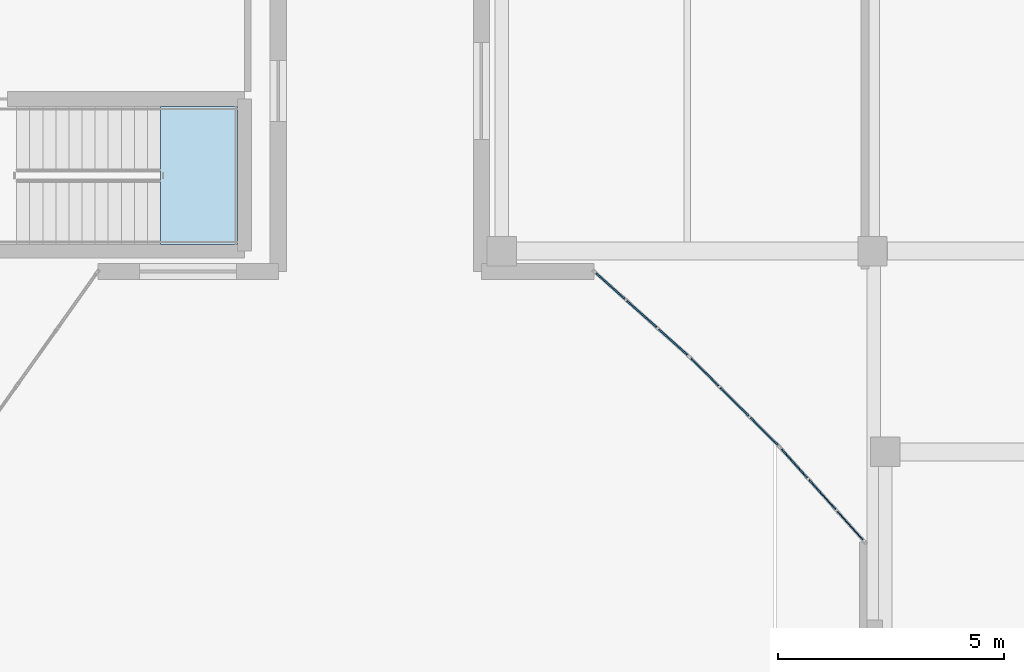
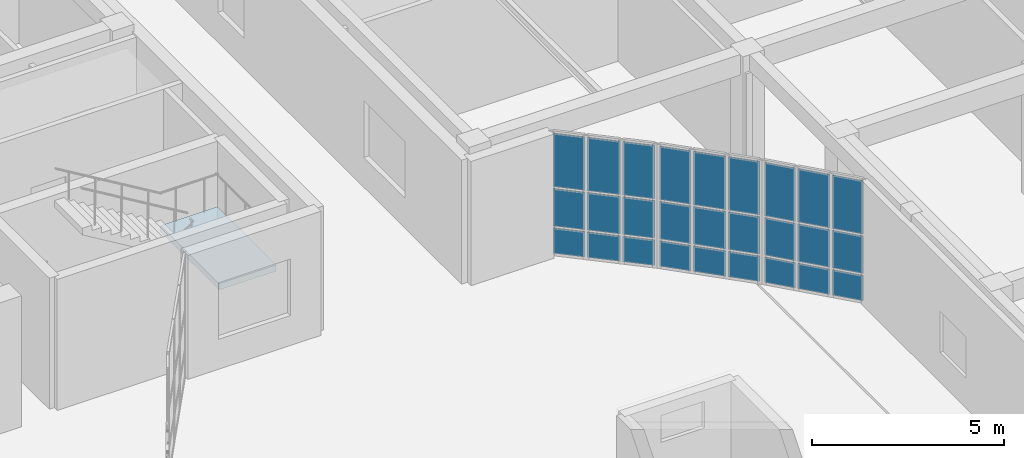
# One storey, part 63 of 114: 27 plates, 1 slab, 4 elements without a shape of their own.
"""IFC4 building model written with IfcOpenShell, lengths in metres."""

from ifc_helpers import new_model, si_unit, direction, frame, origin, origin_2d, place, context, subcontext, project, spatial, polyline, rectangle, outline, extrude, material, layer, layer_set, type_object, element, aggregate, save


model = new_model("IFC4")

# Units and contexts
model_context = context("Model", 3, precision=1e-05, world=origin(), true_north=direction((0.0, 1.0)))
body_context = subcontext(model_context, "Body", "Model", "MODEL_VIEW")
ifc_project = project(units=[si_unit("LENGTHUNIT", "METRE"), si_unit("AREAUNIT", "SQUARE_METRE"), si_unit("VOLUMEUNIT", "CUBIC_METRE"), si_unit("PLANEANGLEUNIT", "RADIAN"), si_unit("MASSUNIT", "GRAM", prefix="KILO")], contexts=[model_context])

# Site, building, storey
site_placement = place(None, origin())
site = spatial("IfcSite", under=ifc_project, at=site_placement, CompositionType="ELEMENT")
building_placement = place(site_placement, origin())
building = spatial("IfcBuilding", under=site, at=building_placement, Name="Keldmere Railside Commons", CompositionType="ELEMENT")
storey_placement = place(building_placement, origin())
storey = spatial("IfcBuildingStorey", under=building, at=storey_placement, Name="L00", CompositionType="ELEMENT", Elevation=0.0)

# Curtain wall, plates
ifc_material_1 = material(Name="Thermally Broken Aluminium", Category="aluminium")
ifc_layer_1 = layer(ifc_material_1, 0.159912109375, Name="Residential Ground Entrance Lobby CW 4000x3600")
ifc_layer_set_1 = layer_set([ifc_layer_1], Name="Thermally Broken Aluminium")
curtain_wall_type_1 = type_object("IfcCurtainWallType", Name="Residential Ground Entrance Lobby CW 4000x3600", PredefinedType="NOTDEFINED", material=ifc_layer_set_1)
curtain_wall_1_placement = place(storey_placement, origin())
curtain_wall_1 = element("IfcCurtainWall", 1, at=curtain_wall_1_placement, inside=storey, type_object=curtain_wall_type_1, Name="CW-10 CW-L00-028", PredefinedType="NOTDEFINED")
ifc_material_2 = material(Name="Low-E Insulated Double Glazing", Category="glass")
ifc_layer_2 = layer(ifc_material_2, 0.033935546875, Name="Acoustic Laminated Vision Panel 34")
ifc_layer_set_2 = layer_set([ifc_layer_2], Name="Low-E Insulated Double Glazing")
plate_type_1 = type_object("IfcPlateType", Name="Acoustic Laminated Vision Panel 34", PredefinedType="CURTAIN_PANEL", material=ifc_layer_set_2)
plate_1_placement = place(storey_placement, frame((43.74462890625, 98.435791015625, 0.06494140625), z_axis=(0.0, 0.0, 1.0), x_axis=(-0.744557333277, 0.667558519879, 0.0)))
plate_1 = element("IfcPlate", 2, at=plate_1_placement, type_object=plate_type_1, Name="CW-10 panel 1.1", PredefinedType="CURTAIN_PANEL", context=body_context, shape_type="SweptSolid", body=[
    extrude(rectangle(XDim=0.84619140625, YDim=0.033935546875, at=origin_2d()), origin(), (0.0, 0.0, 1.0), 0.802490234375),
])
plate_2_placement = place(storey_placement, frame((43.74462890625, 98.435791015625, 0.932373046875), z_axis=(0.0, 0.0, 1.0), x_axis=(-0.744557333277, 0.667558519879, 0.0)))
plate_2 = element("IfcPlate", 3, at=plate_2_placement, type_object=plate_type_1, Name="CW-10 panel 1.2", PredefinedType="CURTAIN_PANEL", context=body_context, shape_type="SweptSolid", body=[
    extrude(rectangle(XDim=0.84619140625, YDim=0.033935546875, at=origin_2d()), origin(), (0.0, 0.0, 1.0), 1.18505859375),
])
plate_3_placement = place(storey_placement, frame((43.74462890625, 98.435791015625, 2.1826171875), z_axis=(0.0, 0.0, 1.0), x_axis=(-0.744557333277, 0.667558519879, 0.0)))
plate_3 = element("IfcPlate", 4, at=plate_3_placement, type_object=plate_type_1, Name="CW-10 panel 1.3", PredefinedType="CURTAIN_PANEL", context=body_context, shape_type="SweptSolid", body=[
    extrude(rectangle(XDim=0.84619140625, YDim=0.033935546875, at=origin_2d()), origin(), (0.0, 0.0, 1.0), 1.6923828125),
])
plate_4_placement = place(storey_placement, frame((43.053955078125, 99.054931640625, 0.06494140625), z_axis=(0.0, 0.0, 1.0), x_axis=(-0.744557333277, 0.667558519879, 0.0)))
plate_4 = element("IfcPlate", 5, at=plate_4_placement, type_object=plate_type_1, Name="CW-10 panel 2.1", PredefinedType="CURTAIN_PANEL", context=body_context, shape_type="SweptSolid", body=[
    extrude(rectangle(XDim=0.878662109375, YDim=0.033935546875, at=origin_2d()), origin(), (0.0, 0.0, 1.0), 0.802490234375),
])
plate_5_placement = place(storey_placement, frame((43.053955078125, 99.054931640625, 0.932373046875), z_axis=(0.0, 0.0, 1.0), x_axis=(-0.744557333277, 0.667558519879, 0.0)))
plate_5 = element("IfcPlate", 6, at=plate_5_placement, type_object=plate_type_1, Name="CW-10 panel 2.2", PredefinedType="CURTAIN_PANEL", context=body_context, shape_type="SweptSolid", body=[
    extrude(rectangle(XDim=0.878662109375, YDim=0.033935546875, at=origin_2d()), origin(), (0.0, 0.0, 1.0), 1.18505859375),
])
plate_6_placement = place(storey_placement, frame((43.053955078125, 99.054931640625, 2.1826171875), z_axis=(0.0, 0.0, 1.0), x_axis=(-0.744557333277, 0.667558519879, 0.0)))
plate_6 = element("IfcPlate", 7, at=plate_6_placement, type_object=plate_type_1, Name="CW-10 panel 2.3", PredefinedType="CURTAIN_PANEL", context=body_context, shape_type="SweptSolid", body=[
    extrude(rectangle(XDim=0.878662109375, YDim=0.033935546875, at=origin_2d()), origin(), (0.0, 0.0, 1.0), 1.6923828125),
])
plate_7_placement = place(storey_placement, frame((42.363525390625, 99.674072265625, 0.06494140625), z_axis=(0.0, 0.0, 1.0), x_axis=(-0.744557333277, 0.667558519879, 0.0)))
plate_7 = element("IfcPlate", 8, at=plate_7_placement, type_object=plate_type_1, Name="CW-10 panel 3.1", PredefinedType="CURTAIN_PANEL", context=body_context, shape_type="SweptSolid", body=[
    extrude(rectangle(XDim=0.84619140625, YDim=0.033935546875, at=origin_2d()), origin(), (0.0, 0.0, 1.0), 0.802490234375),
])
plate_8_placement = place(storey_placement, frame((42.363525390625, 99.674072265625, 0.932373046875), z_axis=(0.0, 0.0, 1.0), x_axis=(-0.744557333277, 0.667558519879, 0.0)))
plate_8 = element("IfcPlate", 9, at=plate_8_placement, type_object=plate_type_1, Name="CW-10 panel 3.2", PredefinedType="CURTAIN_PANEL", context=body_context, shape_type="SweptSolid", body=[
    extrude(rectangle(XDim=0.84619140625, YDim=0.033935546875, at=origin_2d()), origin(), (0.0, 0.0, 1.0), 1.18505859375),
])
plate_9_placement = place(storey_placement, frame((42.363525390625, 99.674072265625, 2.1826171875), z_axis=(0.0, 0.0, 1.0), x_axis=(-0.744557333277, 0.667558519879, 0.0)))
plate_9 = element("IfcPlate", 10, at=plate_9_placement, type_object=plate_type_1, Name="CW-10 panel 3.3", PredefinedType="CURTAIN_PANEL", context=body_context, shape_type="SweptSolid", body=[
    extrude(rectangle(XDim=0.84619140625, YDim=0.033935546875, at=origin_2d()), origin(), (0.0, 0.0, 1.0), 1.6923828125),
])
aggregate(curtain_wall_1, [plate_1, plate_2, plate_3, plate_4, plate_5, plate_6, plate_7, plate_8, plate_9])

ifc_layer_3 = layer(ifc_material_1, 0.159912109375, Name="Residential Lounge Frontage CW 4600x3600")
ifc_layer_set_3 = layer_set([ifc_layer_3], Name="Thermally Broken Aluminium")
curtain_wall_type_2 = type_object("IfcCurtainWallType", Name="Residential Lounge Frontage CW 4600x3600", PredefinedType="NOTDEFINED", material=ifc_layer_set_3)
curtain_wall_2_placement = place(storey_placement, origin())
curtain_wall_2 = element("IfcCurtainWall", 11, at=curtain_wall_2_placement, inside=storey, type_object=curtain_wall_type_2, Name="CW-11 CW-L00-029", PredefinedType="NOTDEFINED")
ifc_layer_4 = layer(ifc_material_2, 0.031982421875, Name="Clerestory Solar-Control Vision Panel 32")
ifc_layer_set_4 = layer_set([ifc_layer_4], Name="Low-E Insulated Double Glazing")
plate_type_2 = type_object("IfcPlateType", Name="Clerestory Solar-Control Vision Panel 32", PredefinedType="CURTAIN_PANEL", material=ifc_layer_set_4)
plate_10_placement = place(storey_placement, frame((45.764892578125, 96.453125, 0.06494140625), z_axis=(0.0, 0.0, 1.0), x_axis=(-0.707106781187, 0.707106781187, 0.0)))
plate_10 = element("IfcPlate", 12, at=plate_10_placement, type_object=plate_type_2, Name="CW-11 panel 1.1", PredefinedType="CURTAIN_PANEL", context=body_context, shape_type="SweptSolid", body=[
    extrude(rectangle(XDim=0.84619140625, YDim=0.031982421875, at=origin_2d()), origin(), (0.0, 0.0, 1.0), 0.802490234375),
])
plate_11_placement = place(storey_placement, frame((45.764892578125, 96.453125, 0.932373046875), z_axis=(0.0, 0.0, 1.0), x_axis=(-0.707106781187, 0.707106781187, 0.0)))
plate_11 = element("IfcPlate", 13, at=plate_11_placement, type_object=plate_type_2, Name="CW-11 panel 1.2", PredefinedType="CURTAIN_PANEL", context=body_context, shape_type="SweptSolid", body=[
    extrude(rectangle(XDim=0.84619140625, YDim=0.031982421875, at=origin_2d()), origin(), (0.0, 0.0, 1.0), 1.18505859375),
])
plate_12_placement = place(storey_placement, frame((45.764892578125, 96.453125, 2.1826171875), z_axis=(0.0, 0.0, 1.0), x_axis=(-0.707106781187, 0.707106781187, 0.0)))
plate_12 = element("IfcPlate", 14, at=plate_12_placement, type_object=plate_type_2, Name="CW-11 panel 1.3", PredefinedType="CURTAIN_PANEL", context=body_context, shape_type="SweptSolid", body=[
    extrude(rectangle(XDim=0.84619140625, YDim=0.031982421875, at=origin_2d()), origin(), (0.0, 0.0, 1.0), 1.6923828125),
])
plate_13_placement = place(storey_placement, frame((45.10888671875, 97.10888671875, 0.06494140625), z_axis=(0.0, 0.0, 1.0), x_axis=(-0.707106781187, 0.707106781187, 0.0)))
plate_13 = element("IfcPlate", 15, at=plate_13_placement, type_object=plate_type_2, Name="CW-11 panel 2.1", PredefinedType="CURTAIN_PANEL", context=body_context, shape_type="SweptSolid", body=[
    extrude(rectangle(XDim=0.878662109375, YDim=0.031982421875, at=origin_2d()), origin(), (0.0, 0.0, 1.0), 0.802490234375),
])
plate_14_placement = place(storey_placement, frame((45.10888671875, 97.10888671875, 0.932373046875), z_axis=(0.0, 0.0, 1.0), x_axis=(-0.707106781187, 0.707106781187, 0.0)))
plate_14 = element("IfcPlate", 16, at=plate_14_placement, type_object=plate_type_2, Name="CW-11 panel 2.2", PredefinedType="CURTAIN_PANEL", context=body_context, shape_type="SweptSolid", body=[
    extrude(rectangle(XDim=0.878662109375, YDim=0.031982421875, at=origin_2d()), origin(), (0.0, 0.0, 1.0), 1.18505859375),
])
plate_15_placement = place(storey_placement, frame((45.10888671875, 97.10888671875, 2.1826171875), z_axis=(0.0, 0.0, 1.0), x_axis=(-0.707106781187, 0.707106781187, 0.0)))
plate_15 = element("IfcPlate", 17, at=plate_15_placement, type_object=plate_type_2, Name="CW-11 panel 2.3", PredefinedType="CURTAIN_PANEL", context=body_context, shape_type="SweptSolid", body=[
    extrude(rectangle(XDim=0.878662109375, YDim=0.031982421875, at=origin_2d()), origin(), (0.0, 0.0, 1.0), 1.6923828125),
])
plate_16_placement = place(storey_placement, frame((44.453125, 97.764892578125, 0.06494140625), z_axis=(0.0, 0.0, 1.0), x_axis=(-0.707106781187, 0.707106781187, 0.0)))
plate_16 = element("IfcPlate", 18, at=plate_16_placement, type_object=plate_type_2, Name="CW-11 panel 3.1", PredefinedType="CURTAIN_PANEL", context=body_context, shape_type="SweptSolid", body=[
    extrude(rectangle(XDim=0.84619140625, YDim=0.031982421875, at=origin_2d()), origin(), (0.0, 0.0, 1.0), 0.802490234375),
])
plate_17_placement = place(storey_placement, frame((44.453125, 97.764892578125, 0.932373046875), z_axis=(0.0, 0.0, 1.0), x_axis=(-0.707106781187, 0.707106781187, 0.0)))
plate_17 = element("IfcPlate", 19, at=plate_17_placement, type_object=plate_type_2, Name="CW-11 panel 3.2", PredefinedType="CURTAIN_PANEL", context=body_context, shape_type="SweptSolid", body=[
    extrude(rectangle(XDim=0.84619140625, YDim=0.031982421875, at=origin_2d()), origin(), (0.0, 0.0, 1.0), 1.18505859375),
])
plate_18_placement = place(storey_placement, frame((44.453125, 97.764892578125, 2.1826171875), z_axis=(0.0, 0.0, 1.0), x_axis=(-0.707106781187, 0.707106781187, 0.0)))
plate_18 = element("IfcPlate", 20, at=plate_18_placement, type_object=plate_type_2, Name="CW-11 panel 3.3", PredefinedType="CURTAIN_PANEL", context=body_context, shape_type="SweptSolid", body=[
    extrude(rectangle(XDim=0.84619140625, YDim=0.031982421875, at=origin_2d()), origin(), (0.0, 0.0, 1.0), 1.6923828125),
])
aggregate(curtain_wall_2, [plate_10, plate_11, plate_12, plate_13, plate_14, plate_15, plate_16, plate_17, plate_18])

# Stair, slab
ifc_material_3 = material(Name="Concrete H-30 (C30/37)", Category="concrete")
stair_type = type_object("IfcStairType", Name="Ground Podium Dogleg Stair 1450", PredefinedType="HALF_TURN_STAIR", material=ifc_material_3)
stair_placement = place(storey_placement, origin())
stair = element("IfcStair", 21, at=stair_placement, inside=storey, type_object=stair_type, Name="L00 Block D Secondary Escape Stair 2", PredefinedType="HALF_TURN_STAIR")
ifc_layer_5 = layer(ifc_material_3, 0.199951171875, Name="Enclosed Stair Landing Slab 200")
ifc_layer_set_5 = layer_set([ifc_layer_5], Name="Concrete H-30 (C30/37)")
slab_type = type_object("IfcSlabType", Name="Enclosed Stair Landing Slab 200", PredefinedType="LANDING", material=ifc_layer_set_5)
slab_placement = place(storey_placement, frame((0.0, 0.0, 1.8798828125)))
slab = element("IfcSlab", 22, at=slab_placement, type_object=slab_type, Name="ST-D2 landing 1", PredefinedType="LANDING", context=body_context, shape_type="SweptSolid", body=[
    extrude(outline(polyline([(32.389892578125, 100.60009765625), (34.10009765625, 100.60009765625), (34.10009765625, 103.64990234375), (32.389892578125, 103.64990234375), (32.389892578125, 100.60009765625)])), origin(), (0.0, 0.0, 1.0), 0.2001953125),
])
aggregate(stair, [slab])

# Curtain wall, plates
curtain_wall_3_placement = place(storey_placement, origin())
curtain_wall_3 = element("IfcCurtainWall", 23, at=curtain_wall_3_placement, inside=storey, type_object=curtain_wall_type_1, Name="CW-10 CW-L00-030", PredefinedType="NOTDEFINED")
ifc_layer_6 = layer(ifc_material_2, 0.028076171875, Name="Low-E Vision Glazing Panel 28")
ifc_layer_set_6 = layer_set([ifc_layer_6], Name="Low-E Insulated Double Glazing")
plate_type_3 = type_object("IfcPlateType", Name="Low-E Vision Glazing Panel 28", PredefinedType="CURTAIN_PANEL", material=ifc_layer_set_6)
plate_19_placement = place(storey_placement, frame((47.674072265625, 94.363525390625, 0.06494140625), z_axis=(0.0, 0.0, 1.0), x_axis=(-0.667558519879, 0.744557333277, 0.0)))
plate_19 = element("IfcPlate", 24, at=plate_19_placement, type_object=plate_type_3, Name="CW-10 panel 1.1", PredefinedType="CURTAIN_PANEL", context=body_context, shape_type="SweptSolid", body=[
    extrude(rectangle(XDim=0.84619140625, YDim=0.028076171875, at=origin_2d()), origin(), (0.0, 0.0, 1.0), 0.802490234375),
])
plate_20_placement = place(storey_placement, frame((47.674072265625, 94.363525390625, 0.932373046875), z_axis=(0.0, 0.0, 1.0), x_axis=(-0.667558519879, 0.744557333277, 0.0)))
plate_20 = element("IfcPlate", 25, at=plate_20_placement, type_object=plate_type_3, Name="CW-10 panel 1.2", PredefinedType="CURTAIN_PANEL", context=body_context, shape_type="SweptSolid", body=[
    extrude(rectangle(XDim=0.84619140625, YDim=0.028076171875, at=origin_2d()), origin(), (0.0, 0.0, 1.0), 1.18505859375),
])
plate_21_placement = place(storey_placement, frame((47.674072265625, 94.363525390625, 2.1826171875), z_axis=(0.0, 0.0, 1.0), x_axis=(-0.667558519879, 0.744557333277, 0.0)))
plate_21 = element("IfcPlate", 26, at=plate_21_placement, type_object=plate_type_3, Name="CW-10 panel 1.3", PredefinedType="CURTAIN_PANEL", context=body_context, shape_type="SweptSolid", body=[
    extrude(rectangle(XDim=0.84619140625, YDim=0.028076171875, at=origin_2d()), origin(), (0.0, 0.0, 1.0), 1.6923828125),
])
plate_22_placement = place(storey_placement, frame((47.054931640625, 95.053955078125, 0.06494140625), z_axis=(0.0, 0.0, 1.0), x_axis=(-0.667558519879, 0.744557333277, 0.0)))
plate_22 = element("IfcPlate", 27, at=plate_22_placement, type_object=plate_type_3, Name="CW-10 panel 2.1", PredefinedType="CURTAIN_PANEL", context=body_context, shape_type="SweptSolid", body=[
    extrude(rectangle(XDim=0.878662109375, YDim=0.028076171875, at=origin_2d()), origin(), (0.0, 0.0, 1.0), 0.802490234375),
])
plate_23_placement = place(storey_placement, frame((47.054931640625, 95.053955078125, 0.932373046875), z_axis=(0.0, 0.0, 1.0), x_axis=(-0.667558519879, 0.744557333277, 0.0)))
plate_23 = element("IfcPlate", 28, at=plate_23_placement, type_object=plate_type_3, Name="CW-10 panel 2.2", PredefinedType="CURTAIN_PANEL", context=body_context, shape_type="SweptSolid", body=[
    extrude(rectangle(XDim=0.878662109375, YDim=0.028076171875, at=origin_2d()), origin(), (0.0, 0.0, 1.0), 1.18505859375),
])
plate_24_placement = place(storey_placement, frame((47.054931640625, 95.053955078125, 2.1826171875), z_axis=(0.0, 0.0, 1.0), x_axis=(-0.667558519879, 0.744557333277, 0.0)))
plate_24 = element("IfcPlate", 29, at=plate_24_placement, type_object=plate_type_3, Name="CW-10 panel 2.3", PredefinedType="CURTAIN_PANEL", context=body_context, shape_type="SweptSolid", body=[
    extrude(rectangle(XDim=0.878662109375, YDim=0.028076171875, at=origin_2d()), origin(), (0.0, 0.0, 1.0), 1.6923828125),
])
plate_25_placement = place(storey_placement, frame((46.435791015625, 95.74462890625, 0.06494140625), z_axis=(0.0, 0.0, 1.0), x_axis=(-0.667558519879, 0.744557333277, 0.0)))
plate_25 = element("IfcPlate", 30, at=plate_25_placement, type_object=plate_type_3, Name="CW-10 panel 3.1", PredefinedType="CURTAIN_PANEL", context=body_context, shape_type="SweptSolid", body=[
    extrude(rectangle(XDim=0.84619140625, YDim=0.028076171875, at=origin_2d()), origin(), (0.0, 0.0, 1.0), 0.802490234375),
])
plate_26_placement = place(storey_placement, frame((46.435791015625, 95.74462890625, 0.932373046875), z_axis=(0.0, 0.0, 1.0), x_axis=(-0.667558519879, 0.744557333277, 0.0)))
plate_26 = element("IfcPlate", 31, at=plate_26_placement, type_object=plate_type_3, Name="CW-10 panel 3.2", PredefinedType="CURTAIN_PANEL", context=body_context, shape_type="SweptSolid", body=[
    extrude(rectangle(XDim=0.84619140625, YDim=0.028076171875, at=origin_2d()), origin(), (0.0, 0.0, 1.0), 1.18505859375),
])
plate_27_placement = place(storey_placement, frame((46.435791015625, 95.74462890625, 2.1826171875), z_axis=(0.0, 0.0, 1.0), x_axis=(-0.667558519879, 0.744557333277, 0.0)))
plate_27 = element("IfcPlate", 32, at=plate_27_placement, type_object=plate_type_3, Name="CW-10 panel 3.3", PredefinedType="CURTAIN_PANEL", context=body_context, shape_type="SweptSolid", body=[
    extrude(rectangle(XDim=0.84619140625, YDim=0.028076171875, at=origin_2d()), origin(), (0.0, 0.0, 1.0), 1.6923828125),
])
aggregate(curtain_wall_3, [plate_19, plate_20, plate_21, plate_22, plate_23, plate_24, plate_25, plate_26, plate_27])

save(model, "model.ifc")
